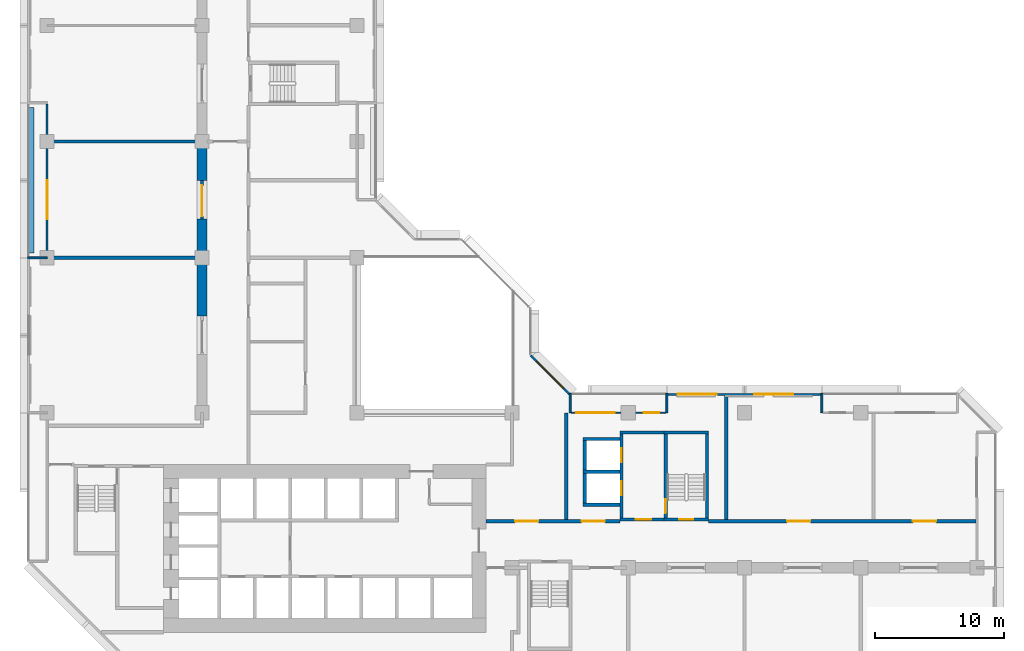
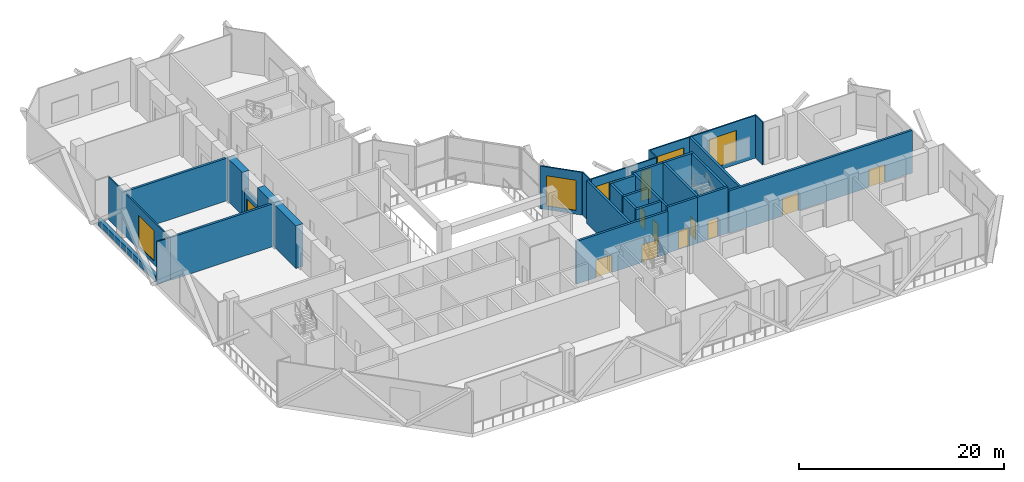
# One storey, part 8 of 14: 31 walls, 10 doors, 6 windows, 16 openings.
"""IFC4 building model written with IfcOpenShell, lengths in metres."""

import ifcopenshell
import ifcopenshell.guid

model = None  # the IFC model being written
_history = None  # IfcOwnerHistory: only IFC2X3 demands one
_inside = {}  # id of a spatial element -> (the spatial element, [elements in it])
_under = {}  # id of a project, library or spatial element -> (it, [spatial elements below it])
_declared = {}  # id of a project -> (the project, [libraries it declares])
_typed = {}  # id of a type object -> (the type object, [elements of that type])
_made_of = {}  # id of a material, layer set ... -> (it, [elements and type objects made of it])


def new_model(schema):
    """Start an empty IFC model of exactly this schema.

    Asked for "IFC4X3", IfcOpenShell would pick the latest addendum, in which some entities
    have other attributes; the version numbers below select the first issue.
    IFC2X3 requires an IfcOwnerHistory on every rooted entity: one is made here for all.
    """
    global model, _history
    if schema == "IFC4X3":
        model = ifcopenshell.file(schema_version=(4, 3, 0, 0))
    else:
        model = ifcopenshell.file(schema=schema)
    _inside.clear()
    _under.clear()
    _declared.clear()
    _typed.clear()
    _made_of.clear()
    _history = None
    if model.schema == "IFC2X3":
        org = make("IfcOrganization", Name="unknown")
        user = make(
            "IfcPersonAndOrganization",
            ThePerson=make("IfcPerson", FamilyName="unknown"),
            TheOrganization=org,
        )
        app = make(
            "IfcApplication",
            ApplicationDeveloper=org,
            Version="unknown",
            ApplicationFullName="unknown",
            ApplicationIdentifier="unknown",
        )
        _history = make(
            "IfcOwnerHistory",
            OwningUser=user,
            OwningApplication=app,
            ChangeAction="ADDED",
            CreationDate=0,
        )
    return model


def make(cls, **values):
    """One entity of the class cls with the attributes given. An attribute that is None is left unset."""
    return model.create_entity(
        cls, **{name: value for name, value in values.items() if value is not None}
    )


def rooted(cls, **values):
    """An entity with a GlobalId (a new one), such as an element, a storey or a relation."""
    return make(cls, GlobalId=ifcopenshell.guid.new(), OwnerHistory=_history, **values)


def si_unit(unit_type, name, prefix=None):
    """IfcSIUnit, for example si_unit("LENGTHUNIT", "METRE", prefix="MILLI")."""
    return make("IfcSIUnit", UnitType=unit_type, Prefix=prefix, Name=name)


def assignment(units):
    """IfcUnitAssignment: the units of a project."""
    return None if units is None else make("IfcUnitAssignment", Units=units)


def point(xyz):
    """IfcCartesianPoint."""
    return None if xyz is None else make("IfcCartesianPoint", Coordinates=xyz)


def direction(xyz):
    """IfcDirection."""
    return None if xyz is None else make("IfcDirection", DirectionRatios=xyz)


def frame(location, z_axis=None, x_axis=None):
    """IfcAxis2Placement3D, a coordinate frame: its origin and axes. An axis left out is left unset."""
    return make(
        "IfcAxis2Placement3D",
        Location=point(location),
        Axis=direction(z_axis),
        RefDirection=direction(x_axis),
    )


def frame_2d(location, x_axis=None):
    """IfcAxis2Placement2D, a coordinate frame in the plane: its origin and x axis."""
    return make(
        "IfcAxis2Placement2D", Location=point(location), RefDirection=direction(x_axis)
    )


def origin():
    """The frame at (0, 0, 0) with its axes left unset."""
    return frame((0.0, 0.0, 0.0))


def place(relative_to, where):
    """IfcLocalPlacement: puts the frame where relative to a parent placement (None: the world)."""
    return make(
        "IfcLocalPlacement", PlacementRelTo=relative_to, RelativePlacement=where
    )


def context(
    kind, dimensions, precision=None, world=None, true_north=None, identifier=None
):
    """IfcGeometricRepresentationContext, for example the 3D "Model" context."""
    return make(
        "IfcGeometricRepresentationContext",
        ContextIdentifier=identifier,
        ContextType=kind,
        CoordinateSpaceDimension=dimensions,
        Precision=precision,
        WorldCoordinateSystem=world,
        TrueNorth=true_north,
    )


def subcontext(parent, identifier, kind, view, scale=None):
    """IfcGeometricRepresentationSubContext, for example "Body" below "Model"."""
    return make(
        "IfcGeometricRepresentationSubContext",
        ContextIdentifier=identifier,
        ContextType=kind,
        ParentContext=parent,
        TargetScale=scale,
        TargetView=view,
    )


def project(units=None, contexts=None):
    """IfcProject with its units and contexts."""
    return rooted(
        "IfcProject",
        Name="project",
        RepresentationContexts=contexts,
        UnitsInContext=assignment(units),
    )


def spatial(cls, under=None, at=None, **own):
    """A site, building, storey or space (cls), placed at a placement, below another one or the project."""
    s = rooted(cls, ObjectPlacement=at, **own)
    if under is not None:
        _under.setdefault(under.id(), (under, []))[1].append(s)
    return s


def profile(cls, at=None, kind="AREA", **sizes):
    """A parametric profile (cls). Its sizes go by their IFC names, for example OverallWidth=200.0."""
    return make(cls, ProfileType=kind, Position=at, **sizes)


def rectangle(**sizes):
    """IfcRectangleProfileDef."""
    return profile("IfcRectangleProfileDef", **sizes)


def extrude(swept, where, along, depth):
    """IfcExtrudedAreaSolid: the profile swept, set in the frame where, extruded along a direction by depth."""
    return make(
        "IfcExtrudedAreaSolid",
        SweptArea=swept,
        Position=where,
        ExtrudedDirection=direction(along),
        Depth=depth,
    )


def shape(context_of_items, identifier, shape_type, items):
    """IfcShapeRepresentation: the items that make up one representation, for example the "Body"."""
    return make(
        "IfcShapeRepresentation",
        ContextOfItems=context_of_items,
        RepresentationIdentifier=identifier,
        RepresentationType=shape_type,
        Items=items,
    )


def material(Name=None, Category=None):
    """IfcMaterial."""
    return make("IfcMaterial", Name=Name, Category=Category)


def layer(
    of_material, thickness, ventilated=None, Name=None, Category=None, Priority=None
):
    """IfcMaterialLayer: one layer of a wall or slab, of a material (None: an air gap)."""
    return make(
        "IfcMaterialLayer",
        Material=of_material,
        LayerThickness=thickness,
        IsVentilated=ventilated,
        Name=Name,
        Category=Category,
        Priority=Priority,
    )


def layer_set(layers, Name=None):
    """IfcMaterialLayerSet."""
    return make("IfcMaterialLayerSet", MaterialLayers=layers, LayerSetName=Name)


def made_of(thing, what):
    """Note that an element or type object is made of a material, layer set ...; save() writes the relation."""
    if what is not None:
        _made_of.setdefault(what.id(), (what, []))[1].append(thing)
    return thing


def type_object(cls, material=None, **own):
    """A type object (cls), such as IfcWallType, which elements share."""
    return made_of(rooted(cls, **own), material)


def element(
    cls,
    number,
    at=None,
    inside=None,
    cuts=None,
    type_object=None,
    material=None,
    context=None,
    identifier="Body",
    shape_type=None,
    held_by="IfcProductDefinitionShape",
    body=None,
    shapes=None,
    **own,
):
    """One element of the class cls, such as IfcWall. Its Tag is "e" and its number.

    at: its placement. inside: the storey or other place that contains it. cuts: it is an
    opening in that element (IfcRelVoidsElement). A single representation is given by context,
    identifier, shape_type and body (its items); several are given by shapes. held_by: the class
    of the entity that holds the representations. save() writes the other relations.
    """
    e = rooted(cls, Tag="e%d" % number, ObjectPlacement=at, **own)
    if body is not None:
        shapes = [shape(context, identifier, shape_type, body)]
    if shapes is not None:
        e.Representation = make(held_by, Representations=shapes)
    if inside is not None:
        _inside.setdefault(inside.id(), (inside, []))[1].append(e)
    if cuts is not None:
        rooted(
            "IfcRelVoidsElement", RelatingBuildingElement=cuts, RelatedOpeningElement=e
        )
    if type_object is not None:
        _typed.setdefault(type_object.id(), (type_object, []))[1].append(e)
    return made_of(e, material)


def fill(opening, filler):
    """IfcRelFillsElement: the door or window that sits in an opening."""
    return rooted(
        "IfcRelFillsElement",
        RelatingOpeningElement=opening,
        RelatedBuildingElement=filler,
    )


def aggregate(whole, parts):
    """IfcRelAggregates: a whole, such as a stair, and the parts it consists of."""
    return rooted("IfcRelAggregates", RelatingObject=whole, RelatedObjects=parts)


def save(model, path):
    """Write the relations noted so far, then the file.

    IfcRelAggregates (storeys below a building ...), IfcRelContainedInSpatialStructure (elements
    in a storey), IfcRelDefinesByType, IfcRelAssociatesMaterial and IfcRelDeclares: one each for
    every whole, place, type object, material and project.
    """
    for whole, parts in _under.values():
        aggregate(whole, parts)
    for where, things in _inside.values():
        rooted(
            "IfcRelContainedInSpatialStructure",
            RelatedElements=things,
            RelatingStructure=where,
        )
    for kind, things in _typed.values():
        rooted("IfcRelDefinesByType", RelatedObjects=things, RelatingType=kind)
    for what, things in _made_of.values():
        rooted("IfcRelAssociatesMaterial", RelatedObjects=things, RelatingMaterial=what)
    for by, libraries in _declared.values():
        rooted("IfcRelDeclares", RelatingContext=by, RelatedDefinitions=libraries)
    model.write(path)


model = new_model("IFC4")

# Units and contexts
model_context = context("Model", 3, precision=1e-05, world=origin(), true_north=direction((0.0, 1.0)))
body_context = subcontext(model_context, "Body", "Model", "MODEL_VIEW")
ifc_project = project(units=[si_unit("LENGTHUNIT", "METRE"), si_unit("AREAUNIT", "SQUARE_METRE"), si_unit("VOLUMEUNIT", "CUBIC_METRE"), si_unit("PLANEANGLEUNIT", "RADIAN"), si_unit("MASSUNIT", "GRAM", prefix="KILO")], contexts=[model_context])

# Site, building, storey
site_placement = place(None, origin())
site = spatial("IfcSite", under=ifc_project, at=site_placement, CompositionType="ELEMENT")
building_placement = place(site_placement, origin())
building = spatial("IfcBuilding", under=site, at=building_placement, Name="Chenar Terraces", CompositionType="ELEMENT")
storey_placement = place(building_placement, frame((0.0, 0.0, 86.39990234375)))
storey = spatial("IfcBuildingStorey", under=building, at=storey_placement, Name="L19", CompositionType="ELEMENT", Elevation=86.39990234375)

# Walls
ifc_material_1 = material(Name="Concrete C70/85", Category="concrete")
ifc_layer_1 = layer(ifc_material_1, 0.800048828125)
ifc_layer_set_1 = layer_set([ifc_layer_1], Name="Concrete C70/85")
wall_type_1 = type_object("IfcWallType", Name="Belt wall 800 Concrete C70/85", PredefinedType="SHEAR", material=ifc_layer_set_1)
wall_1_placement = place(storey_placement, frame((12.0, 31.5, 0.0), z_axis=(0.0, 0.0, 1.0), x_axis=(0.0, 1.0, 0.0)))
element("IfcWall", 1, at=wall_1_placement, inside=storey, type_object=wall_type_1, Name="Belt wall L19 B1", PredefinedType="SHEAR", context=body_context, shape_type="SweptSolid", body=[
    extrude(rectangle(XDim=4.5, YDim=0.800048828125, at=frame_2d((2.25, 0.0))), origin(), (0.0, 0.0, 1.0), 5.10009765625),
])
for number, where, z_axis, x_axis, name in (
    (2, (12.0, 36.0, 0.0), (0.0, 0.0, 1.0), (0.0, 1.0, 0.0), "Belt wall L19 B2"),
    (3, (12.0, 42.0, 0.0), (0.0, 0.0, 1.0), (0.0, 1.0, 0.0), "Belt wall L19 B2"),
):
    element("IfcWall", number, at=place(storey_placement, frame(where, z_axis=z_axis, x_axis=x_axis)), inside=storey, type_object=wall_type_1, Name=name, PredefinedType="SHEAR", context=body_context, shape_type="SweptSolid", body=[
        extrude(rectangle(XDim=3.0, YDim=0.800048828125, at=frame_2d((1.5, 0.0))), origin(), (0.0, 0.0, 1.0), 5.10009765625),
    ])

# Wall, opening, door
ifc_material_2 = material(Name="Concrete C70/85", Category="concrete")
ifc_layer_2 = layer(ifc_material_2, 0.25)
ifc_layer_set_2 = layer_set([ifc_layer_2], Name="Concrete C70/85")
wall_type_2 = type_object("IfcWallType", Name="Core wall 250 Concrete C70/85", PredefinedType="SHEAR", material=ifc_layer_set_2)
wall_2_placement = place(storey_placement, frame((47.77490234375, 15.72509765625, 0.0), z_axis=(0.0, 0.0, 1.0), x_axis=(1.0, 0.0, 0.0)))
wall_2 = element("IfcWall", 4, at=wall_2_placement, inside=storey, type_object=wall_type_2, Name="Core wall ST3_S L19", PredefinedType="SHEAR", context=body_context, shape_type="SweptSolid", body=[
    extrude(rectangle(XDim=3.4501953125, YDim=0.25, at=frame_2d((1.72509765625, 0.0))), origin(), (0.0, 0.0, 1.0), 5.5),
])
opening_1_placement = place(wall_2_placement, frame((1.175048828125, 0.0, 0.0)))
opening_1 = element("IfcOpeningElement", 5, at=opening_1_placement, cuts=wall_2, Name="Opening DL19-C8", PredefinedType="OPENING", context=body_context, shape_type="SweptSolid", body=[
    extrude(rectangle(XDim=1.10009765625, YDim=2.199951171875, at=frame_2d((0.550048828125, 1.10009765625))), frame((0.0, 0.135009765625, 0.0), z_axis=(0.0, -1.0, 0.0), x_axis=(1.0, 0.0, 0.0)), (0.0, 0.0, 1.0), 0.27001953125),
])
ifc_material_3 = material(Name="Steel-framed fire-resisting door leaf", Category="steel")
door_type_1 = type_object("IfcDoorType", Name="Stair fire door FD60 1100 x 2200", OperationType="SINGLE_SWING_LEFT", PredefinedType="DOOR", material=ifc_material_3)
door_1_placement = place(opening_1_placement, frame((1.10009765625, 0.0, 0.0), z_axis=(0.0, 0.0, 1.0), x_axis=(-1.0, 0.0, 0.0)))
door_1 = element("IfcDoor", 6, at=door_1_placement, inside=storey, type_object=door_type_1, Name="Stair door DL19-C8", OperationType="SINGLE_SWING_LEFT", OverallHeight=2.199951171875, OverallWidth=1.10009765625, PredefinedType="DOOR", context=body_context, shape_type="SweptSolid", body=[
    extrude(rectangle(XDim=1.10009765625, YDim=2.199951171875, at=frame_2d((0.550048828125, 1.10009765625))), frame((0.0, 0.02490234375, 0.0), z_axis=(0.0, -1.0, 0.0), x_axis=(1.0, 0.0, 0.0)), (0.0, 0.0, 1.0), 0.050048828125),
])
fill(opening_1, door_1)

# Wall
wall_3_placement = place(storey_placement, frame((47.77490234375, 22.47509765625, 0.0), z_axis=(0.0, 0.0, 1.0), x_axis=(1.0, 0.0, 0.0)))
element("IfcWall", 7, at=wall_3_placement, inside=storey, type_object=wall_type_2, Name="Core wall ST3_N L19", PredefinedType="SHEAR", context=body_context, shape_type="SweptSolid", body=[
    extrude(rectangle(XDim=3.4501953125, YDim=0.25, at=frame_2d((1.72509765625, 0.0))), origin(), (0.0, 0.0, 1.0), 5.5),
])

# Wall, opening, door
wall_4_placement = place(storey_placement, frame((47.89990234375, 15.85009765625, 0.0), z_axis=(0.0, 0.0, 1.0), x_axis=(0.0, 1.0, 0.0)))
wall_4 = element("IfcWall", 8, at=wall_4_placement, inside=storey, type_object=wall_type_2, Name="Core wall ST3_W L19", PredefinedType="SHEAR", context=body_context, shape_type="SweptSolid", body=[
    extrude(rectangle(XDim=6.5, YDim=0.25, at=frame_2d((3.25, 0.0))), origin(), (0.0, 0.0, 1.0), 5.5),
])
opening_2_placement = place(wall_4_placement, frame((0.35009765625, 0.0, 0.0)))
opening_2 = element("IfcOpeningElement", 9, at=opening_2_placement, cuts=wall_4, Name="Opening DL19-C11", PredefinedType="OPENING", context=body_context, shape_type="SweptSolid", body=[
    extrude(rectangle(XDim=1.10009765625, YDim=2.199951171875, at=frame_2d((0.550048828125, 1.10009765625))), frame((0.0, 0.135009765625, 0.0), z_axis=(0.0, -1.0, 0.0), x_axis=(1.0, 0.0, 0.0)), (0.0, 0.0, 1.0), 0.27001953125),
])
door_2_placement = place(opening_2_placement, frame((1.10009765625, 0.0, 0.0), z_axis=(0.0, 0.0, 1.0), x_axis=(-1.0, 0.0, 0.0)))
door_2 = element("IfcDoor", 10, at=door_2_placement, inside=storey, type_object=door_type_1, Name="Stair door DL19-C11", OperationType="SINGLE_SWING_RIGHT", OverallHeight=2.199951171875, OverallWidth=1.10009765625, PredefinedType="DOOR", context=body_context, shape_type="SweptSolid", body=[
    extrude(rectangle(XDim=1.10009765625, YDim=2.199951171875, at=frame_2d((0.550048828125, 1.10009765625))), frame((0.0, 0.02490234375, 0.0), z_axis=(0.0, -1.0, 0.0), x_axis=(1.0, 0.0, 0.0)), (0.0, 0.0, 1.0), 0.050048828125),
])
fill(opening_2, door_2)

# Wall
wall_5_placement = place(storey_placement, frame((51.10009765625, 15.85009765625, 0.0), z_axis=(0.0, 0.0, 1.0), x_axis=(0.0, 1.0, 0.0)))
element("IfcWall", 11, at=wall_5_placement, inside=storey, type_object=wall_type_2, Name="Core wall ST3_E L19", PredefinedType="SHEAR", context=body_context, shape_type="SweptSolid", body=[
    extrude(rectangle(XDim=6.5, YDim=0.25, at=frame_2d((3.25, 0.0))), origin(), (0.0, 0.0, 1.0), 5.5),
])

# Wall, opening, door
wall_6_placement = place(storey_placement, frame((44.35009765625, 15.72509765625, 0.0), z_axis=(0.0, 0.0, 1.0), x_axis=(1.0, 0.0, 0.0)))
wall_6 = element("IfcWall", 12, at=wall_6_placement, inside=storey, type_object=wall_type_2, Name="Core wall F3_LS L19", PredefinedType="SHEAR", context=body_context, shape_type="SweptSolid", body=[
    extrude(rectangle(XDim=3.4248046875, YDim=0.25, at=frame_2d((1.71240234375, 0.0))), origin(), (0.0, 0.0, 1.0), 5.5),
])
opening_3_placement = place(wall_6_placement, frame((1.25, 0.0, 0.0)))
opening_3 = element("IfcOpeningElement", 13, at=opening_3_placement, cuts=wall_6, Name="Opening DL19-C10", PredefinedType="OPENING", context=body_context, shape_type="SweptSolid", body=[
    extrude(rectangle(XDim=1.199951171875, YDim=2.199951171875, at=frame_2d((0.60009765625, 1.10009765625))), frame((0.0, 0.135009765625, 0.0), z_axis=(0.0, -1.0, 0.0), x_axis=(1.0, 0.0, 0.0)), (0.0, 0.0, 1.0), 0.27001953125),
])
ifc_material_4 = material(Name="Steel-framed fire-resisting door leaf", Category="steel")
door_type_2 = type_object("IfcDoorType", Name="Lobby fire door FD60 1200 x 2200", OperationType="SINGLE_SWING_LEFT", PredefinedType="DOOR", material=ifc_material_4)
door_3_placement = place(opening_3_placement, origin())
door_3 = element("IfcDoor", 14, at=door_3_placement, inside=storey, type_object=door_type_2, Name="Core door DL19-C10", OperationType="SINGLE_SWING_RIGHT", OverallHeight=2.199951171875, OverallWidth=1.199951171875, PredefinedType="DOOR", context=body_context, shape_type="SweptSolid", body=[
    extrude(rectangle(XDim=1.199951171875, YDim=2.199951171875, at=frame_2d((0.60009765625, 1.10009765625))), frame((0.0, 0.02490234375, 0.0), z_axis=(0.0, -1.0, 0.0), x_axis=(1.0, 0.0, 0.0)), (0.0, 0.0, 1.0), 0.050048828125),
])
fill(opening_3, door_3)

# Wall
wall_7_placement = place(storey_placement, frame((44.35009765625, 22.47509765625, 0.0), z_axis=(0.0, 0.0, 1.0), x_axis=(1.0, 0.0, 0.0)))
element("IfcWall", 15, at=wall_7_placement, inside=storey, type_object=wall_type_2, Name="Core wall F3_LN L19", PredefinedType="SHEAR", context=body_context, shape_type="SweptSolid", body=[
    extrude(rectangle(XDim=3.4248046875, YDim=0.25, at=frame_2d((1.71240234375, 0.0))), origin(), (0.0, 0.0, 1.0), 5.5),
])

# Wall, openings, doors
wall_8_placement = place(storey_placement, frame((44.47509765625, 15.85009765625, 0.0), z_axis=(0.0, 0.0, 1.0), x_axis=(0.0, 1.0, 0.0)))
wall_8 = element("IfcWall", 16, at=wall_8_placement, inside=storey, type_object=wall_type_2, Name="Core wall F3_LW L19", PredefinedType="SHEAR", context=body_context, shape_type="SweptSolid", body=[
    extrude(rectangle(XDim=6.5, YDim=0.25, at=frame_2d((3.25, 0.0))), origin(), (0.0, 0.0, 1.0), 5.5),
])
opening_4_placement = place(wall_8_placement, frame((1.75, 0.0, 0.0)))
opening_4 = element("IfcOpeningElement", 17, at=opening_4_placement, cuts=wall_8, Name="Opening DL19-LD8", PredefinedType="OPENING", context=body_context, shape_type="SweptSolid", body=[
    extrude(rectangle(XDim=1.10009765625, YDim=2.199951171875, at=frame_2d((0.550048828125, 1.10009765625))), frame((0.0, 0.135009765625, 0.0), z_axis=(0.0, -1.0, 0.0), x_axis=(1.0, 0.0, 0.0)), (0.0, 0.0, 1.0), 0.27001953125),
])
opening_5_placement = place(wall_8_placement, frame((4.300048828125, 0.0, 0.0)))
opening_5 = element("IfcOpeningElement", 18, at=opening_5_placement, cuts=wall_8, Name="Opening DL19-LD9", PredefinedType="OPENING", context=body_context, shape_type="SweptSolid", body=[
    extrude(rectangle(XDim=1.10009765625, YDim=2.199951171875, at=frame_2d((0.550048828125, 1.10009765625))), frame((0.0, 0.135009765625, 0.0), z_axis=(0.0, -1.0, 0.0), x_axis=(1.0, 0.0, 0.0)), (0.0, 0.0, 1.0), 0.27001953125),
])
ifc_material_5 = material(Name="Stainless steel", Category="steel")
door_type_3 = type_object("IfcDoorType", Name="Lift landing door 1100 x 2200 sliding", OperationType="DOUBLE_DOOR_SLIDING", PredefinedType="DOOR", material=ifc_material_5)
door_4_placement = place(opening_4_placement, origin())
door_4 = element("IfcDoor", 19, at=door_4_placement, inside=storey, type_object=door_type_3, Name="Landing door F3", OperationType="DOUBLE_DOOR_SLIDING", OverallHeight=2.199951171875, OverallWidth=1.10009765625, PredefinedType="DOOR", context=body_context, shape_type="SweptSolid", body=[
    extrude(rectangle(XDim=1.10009765625, YDim=2.199951171875, at=frame_2d((0.550048828125, 1.10009765625))), frame((0.0, 0.02490234375, 0.0), z_axis=(0.0, -1.0, 0.0), x_axis=(1.0, 0.0, 0.0)), (0.0, 0.0, 1.0), 0.050048828125),
])
fill(opening_4, door_4)
door_5_placement = place(opening_5_placement, origin())
door_5 = element("IfcDoor", 20, at=door_5_placement, inside=storey, type_object=door_type_3, Name="Landing door F4", OperationType="DOUBLE_DOOR_SLIDING", OverallHeight=2.199951171875, OverallWidth=1.10009765625, PredefinedType="DOOR", context=body_context, shape_type="SweptSolid", body=[
    extrude(rectangle(XDim=1.10009765625, YDim=2.199951171875, at=frame_2d((0.550048828125, 1.10009765625))), frame((0.0, 0.02490234375, 0.0), z_axis=(0.0, -1.0, 0.0), x_axis=(1.0, 0.0, 0.0)), (0.0, 0.0, 1.0), 0.050048828125),
])
fill(opening_5, door_5)

# Walls
for number, where, z_axis, x_axis, name in (
    (21, (41.5, 16.875, 0.0), (0.0, 0.0, 1.0), (1.0, 0.0, 0.0), "Core wall F3_SS L19"),
    (22, (41.5, 19.425048828125, 0.0), (0.0, 0.0, 1.0), (1.0, 0.0, 0.0), "Core wall F3_SM L19"),
    (23, (41.5, 21.97509765625, 0.0), (0.0, 0.0, 1.0), (1.0, 0.0, 0.0), "Core wall F4_SN L19"),
):
    element("IfcWall", number, at=place(storey_placement, frame(where, z_axis=z_axis, x_axis=x_axis)), inside=storey, type_object=wall_type_2, Name=name, PredefinedType="SHEAR", context=body_context, shape_type="SweptSolid", body=[
        extrude(rectangle(XDim=2.85009765625, YDim=0.25, at=frame_2d((1.425048828125, 0.0))), origin(), (0.0, 0.0, 1.0), 5.5),
    ])
for number, where, z_axis, x_axis, name in (
    (24, (41.625, 17.0, 0.0), (0.0, 0.0, 1.0), (0.0, 1.0, 0.0), "Core wall F3_SW L19"),
    (25, (41.625, 19.550048828125, 0.0), (0.0, 0.0, 1.0), (0.0, 1.0, 0.0), "Core wall F4_SW L19"),
):
    element("IfcWall", number, at=place(storey_placement, frame(where, z_axis=z_axis, x_axis=x_axis)), inside=storey, type_object=wall_type_2, Name=name, PredefinedType="SHEAR", context=body_context, shape_type="SweptSolid", body=[
        extrude(rectangle(XDim=2.300048828125, YDim=0.25, at=frame_2d((1.14990234375, 0.0))), origin(), (0.0, 0.0, 1.0), 5.5),
    ])

# Wall, openings, windows
ifc_material_6 = material(Name="Aluminium framed glazing", Category="aluminium")
ifc_layer_3 = layer(ifc_material_6, 0.14990234375)
ifc_layer_set_3 = layer_set([ifc_layer_3], Name="Aluminium framed glazing")
wall_type_3 = type_object("IfcWallType", Name="Glazed flush facade wall 150", PredefinedType="SOLIDWALL", material=ifc_layer_set_3)
wall_9_placement = place(storey_placement, frame((59.925048828125, 25.425048828125, 0.0), z_axis=(0.0, 0.0, 1.0), x_axis=(-1.0, 0.0, 0.0)))
wall_9 = element("IfcWall", 26, at=wall_9_placement, inside=storey, type_object=wall_type_3, Name="Glazed flush facade wall", PredefinedType="SOLIDWALL", context=body_context, shape_type="SweptSolid", body=[
    extrude(rectangle(XDim=11.85009765625, YDim=0.14990234375, at=frame_2d((5.925048828125, 0.0))), origin(), (0.0, 0.0, 1.0), 5.10009765625),
])
opening_6_placement = place(wall_9_placement, frame((2.16259765625, 0.0, 0.449951171875)))
opening_6 = element("IfcOpeningElement", 27, at=opening_6_placement, cuts=wall_9, Name="Opening W300x360", PredefinedType="OPENING", context=body_context, shape_type="SweptSolid", body=[
    extrude(rectangle(XDim=3.0, YDim=3.60009765625, at=frame_2d((1.5, 1.800048828125))), frame((0.0, 0.0849609375, 0.0), z_axis=(0.0, -1.0, 0.0), x_axis=(1.0, 0.0, 0.0)), (0.0, 0.0, 1.0), 0.169921875),
])
opening_7_placement = place(wall_9_placement, frame((8.08740234375, 0.0, 0.449951171875)))
opening_7 = element("IfcOpeningElement", 28, at=opening_7_placement, cuts=wall_9, Name="Opening W300x360", PredefinedType="OPENING", context=body_context, shape_type="SweptSolid", body=[
    extrude(rectangle(XDim=3.0, YDim=3.60009765625, at=frame_2d((1.5, 1.800048828125))), frame((0.0, 0.0849609375, 0.0), z_axis=(0.0, -1.0, 0.0), x_axis=(1.0, 0.0, 0.0)), (0.0, 0.0, 1.0), 0.169921875),
])
ifc_material_7 = material(Name="Low emissivity double glazing, aluminium frame", Category="aluminium")
window_type_1 = type_object("IfcWindowType", Name="Fixed light 3000 x 3600", PartitioningType="SINGLE_PANEL", PredefinedType="WINDOW", material=ifc_material_7)
window_1_placement = place(opening_6_placement, origin())
window_1 = element("IfcWindow", 29, at=window_1_placement, inside=storey, type_object=window_type_1, Name="Window", OverallHeight=3.60009765625, OverallWidth=3.0, PartitioningType="SINGLE_PANEL", PredefinedType="WINDOW", context=body_context, shape_type="SweptSolid", body=[
    extrude(rectangle(XDim=3.0, YDim=3.60009765625, at=frame_2d((1.5, 1.800048828125))), frame((0.0, 0.030029296875, 0.0), z_axis=(0.0, -1.0, 0.0), x_axis=(1.0, 0.0, 0.0)), (0.0, 0.0, 1.0), 0.06005859375),
])
fill(opening_6, window_1)
window_2_placement = place(opening_7_placement, origin())
window_2 = element("IfcWindow", 30, at=window_2_placement, inside=storey, type_object=window_type_1, Name="Window", OverallHeight=3.60009765625, OverallWidth=3.0, PartitioningType="SINGLE_PANEL", PredefinedType="WINDOW", context=body_context, shape_type="SweptSolid", body=[
    extrude(rectangle(XDim=3.0, YDim=3.60009765625, at=frame_2d((1.5, 1.800048828125))), frame((0.0, 0.030029296875, 0.0), z_axis=(0.0, -1.0, 0.0), x_axis=(1.0, 0.0, 0.0)), (0.0, 0.0, 1.0), 0.06005859375),
])
fill(opening_7, window_2)

ifc_material_8 = material(Name="Aluminium framed glazing", Category="aluminium")
ifc_layer_4 = layer(ifc_material_8, 0.14990234375)
ifc_layer_set_4 = layer_set([ifc_layer_4], Name="Aluminium framed glazing")
wall_type_4 = type_object("IfcWallType", Name="Glazed loggia back wall 150", PredefinedType="SOLIDWALL", material=ifc_layer_set_4)
wall_10_placement = place(storey_placement, frame((47.925048828125, 24.0, 0.0), z_axis=(0.0, 0.0, 1.0), x_axis=(-1.0, 0.0, 0.0)))
wall_10 = element("IfcWall", 31, at=wall_10_placement, inside=storey, type_object=wall_type_4, Name="Glazed loggia back wall", PredefinedType="SOLIDWALL", context=body_context, shape_type="SweptSolid", body=[
    extrude(rectangle(XDim=7.35009765625, YDim=0.14990234375, at=frame_2d((3.675048828125, 0.0))), origin(), (0.0, 0.0, 1.0), 5.10009765625),
])
opening_8_placement = place(wall_10_placement, frame((0.53759765625, 0.0, 0.449951171875)))
opening_8 = element("IfcOpeningElement", 32, at=opening_8_placement, cuts=wall_10, Name="Opening W120x360", PredefinedType="OPENING", context=body_context, shape_type="SweptSolid", body=[
    extrude(rectangle(XDim=1.199951171875, YDim=3.60009765625, at=frame_2d((0.60009765625, 1.800048828125))), frame((0.0, 0.0849609375, 0.0), z_axis=(0.0, -1.0, 0.0), x_axis=(1.0, 0.0, 0.0)), (0.0, 0.0, 1.0), 0.169921875),
])
opening_9_placement = place(wall_10_placement, frame((3.96240234375, 0.0, 0.449951171875)))
opening_9 = element("IfcOpeningElement", 33, at=opening_9_placement, cuts=wall_10, Name="Opening W300x360", PredefinedType="OPENING", context=body_context, shape_type="SweptSolid", body=[
    extrude(rectangle(XDim=3.0, YDim=3.60009765625, at=frame_2d((1.5, 1.800048828125))), frame((0.0, 0.0849609375, 0.0), z_axis=(0.0, -1.0, 0.0), x_axis=(1.0, 0.0, 0.0)), (0.0, 0.0, 1.0), 0.169921875),
])
ifc_material_9 = material(Name="Low emissivity double glazing, aluminium frame", Category="aluminium")
window_type_2 = type_object("IfcWindowType", Name="Fixed light 1200 x 3600", PartitioningType="SINGLE_PANEL", PredefinedType="WINDOW", material=ifc_material_9)
window_3_placement = place(opening_8_placement, origin())
window_3 = element("IfcWindow", 34, at=window_3_placement, inside=storey, type_object=window_type_2, Name="Window", OverallHeight=3.60009765625, OverallWidth=1.199951171875, PartitioningType="SINGLE_PANEL", PredefinedType="WINDOW", context=body_context, shape_type="SweptSolid", body=[
    extrude(rectangle(XDim=1.199951171875, YDim=3.60009765625, at=frame_2d((0.60009765625, 1.800048828125))), frame((0.0, 0.030029296875, 0.0), z_axis=(0.0, -1.0, 0.0), x_axis=(1.0, 0.0, 0.0)), (0.0, 0.0, 1.0), 0.06005859375),
])
fill(opening_8, window_3)
window_4_placement = place(opening_9_placement, origin())
window_4 = element("IfcWindow", 35, at=window_4_placement, inside=storey, type_object=window_type_1, Name="Window", OverallHeight=3.60009765625, OverallWidth=3.0, PartitioningType="SINGLE_PANEL", PredefinedType="WINDOW", context=body_context, shape_type="SweptSolid", body=[
    extrude(rectangle(XDim=3.0, YDim=3.60009765625, at=frame_2d((1.5, 1.800048828125))), frame((0.0, 0.030029296875, 0.0), z_axis=(0.0, -1.0, 0.0), x_axis=(1.0, 0.0, 0.0)), (0.0, 0.0, 1.0), 0.06005859375),
])
fill(opening_9, window_4)

# Wall, opening, window
wall_11_placement = place(storey_placement, frame((0.0, 47.925048828125, 0.0), z_axis=(0.0, 0.0, 1.0), x_axis=(0.0, -1.0, 0.0)))
wall_11 = element("IfcWall", 36, at=wall_11_placement, inside=storey, type_object=wall_type_4, Name="Glazed loggia back wall", PredefinedType="SOLIDWALL", context=body_context, shape_type="SweptSolid", body=[
    extrude(rectangle(XDim=11.85009765625, YDim=0.14990234375, at=frame_2d((5.925048828125, 0.0))), origin(), (0.0, 0.0, 1.0), 5.10009765625),
])
opening_10_placement = place(wall_11_placement, frame((5.925048828125, 0.0, 0.449951171875)))
opening_10 = element("IfcOpeningElement", 37, at=opening_10_placement, cuts=wall_11, Name="Opening W300x360", PredefinedType="OPENING", context=body_context, shape_type="SweptSolid", body=[
    extrude(rectangle(XDim=3.0, YDim=3.60009765625, at=frame_2d((1.5, 1.800048828125))), frame((0.0, 0.0849609375, 0.0), z_axis=(0.0, -1.0, 0.0), x_axis=(1.0, 0.0, 0.0)), (0.0, 0.0, 1.0), 0.169921875),
])
window_5_placement = place(opening_10_placement, origin())
window_5 = element("IfcWindow", 38, at=window_5_placement, inside=storey, type_object=window_type_1, Name="Window", OverallHeight=3.60009765625, OverallWidth=3.0, PartitioningType="SINGLE_PANEL", PredefinedType="WINDOW", context=body_context, shape_type="SweptSolid", body=[
    extrude(rectangle(XDim=3.0, YDim=3.60009765625, at=frame_2d((1.5, 1.800048828125))), frame((0.0, 0.030029296875, 0.0), z_axis=(0.0, -1.0, 0.0), x_axis=(1.0, 0.0, 0.0)), (0.0, 0.0, 1.0), 0.06005859375),
])
fill(opening_10, window_5)

# Walls
ifc_material_10 = material(Name="Terracotta cladding on insulated backing", Category="masonry")
ifc_layer_5 = layer(ifc_material_10, 0.14990234375)
ifc_layer_set_5 = layer_set([ifc_layer_5], Name="Terracotta cladding on insulated backing")
wall_type_5 = type_object("IfcWallType", Name="Loggia return wall 150", PredefinedType="SOLIDWALL", material=ifc_layer_set_5)
for number, where, z_axis, x_axis, name in (
    (39, (60.0, 25.5, 0.0), (0.0, 0.0, 1.0), (0.0, -1.0, 0.0), "Loggia return wall"),
    (40, (48.0, 25.5, 0.0), (0.0, 0.0, 1.0), (0.0, -1.0, 0.0), "Loggia return wall"),
    (41, (40.5, 25.5, 0.0), (0.0, 0.0, 1.0), (0.0, -1.0, 0.0), "Loggia return wall"),
    (42, (-1.5, 36.0, 0.0), (0.0, 0.0, 1.0), (1.0, 0.0, 0.0), "Loggia return wall"),
):
    element("IfcWall", number, at=place(storey_placement, frame(where, z_axis=z_axis, x_axis=x_axis)), inside=storey, type_object=wall_type_5, Name=name, PredefinedType="SOLIDWALL", context=body_context, shape_type="SweptSolid", body=[
        extrude(rectangle(XDim=1.5, YDim=0.14990234375, at=frame_2d((0.75, 0.0))), origin(), (0.0, 0.0, 1.0), 5.10009765625),
    ])
ifc_material_11 = material(Name="Fire-board and steel stud wall with mineral wool", Category="steel")
ifc_layer_6 = layer(ifc_material_11, 0.25)
ifc_layer_set_6 = layer_set([ifc_layer_6], Name="Fire-board and steel stud wall with mineral wool")
wall_type_6 = type_object("IfcWallType", Name="Refuge compartment wall 250", PredefinedType="PARTITIONING", material=ifc_layer_set_6)
wall_12_placement = place(storey_placement, frame((0.0, 36.0, 0.0), z_axis=(0.0, 0.0, 1.0), x_axis=(1.0, 0.0, 0.0)))
element("IfcWall", 43, at=wall_12_placement, inside=storey, type_object=wall_type_6, Name="Partition L19-001", PredefinedType="PARTITIONING", context=body_context, shape_type="SweptSolid", body=[
    extrude(rectangle(XDim=11.60107421875, YDim=0.25, at=frame_2d((5.800537109375, 0.0))), origin(), (0.0, 0.0, 1.0), 5.10009765625),
])
wall_13_placement = place(storey_placement, frame((0.073974609375, 45.0, 0.0), z_axis=(0.0, 0.0, 1.0), x_axis=(1.0, 0.0, 0.0)))
element("IfcWall", 44, at=wall_13_placement, inside=storey, type_object=wall_type_6, Name="Partition L19-005", PredefinedType="PARTITIONING", context=body_context, shape_type="SweptSolid", body=[
    extrude(rectangle(XDim=11.527099609375, YDim=0.25, at=frame_2d((5.763671875, 0.0))), origin(), (0.0, 0.0, 1.0), 5.10009765625),
])

# Wall, opening, door
wall_14_placement = place(storey_placement, frame((12.0, 38.9990234375, 0.0), z_axis=(0.0, 0.0, 1.0), x_axis=(0.0, 1.0, 0.0)))
wall_14 = element("IfcWall", 45, at=wall_14_placement, inside=storey, type_object=wall_type_6, Name="Partition L19-009", PredefinedType="PARTITIONING", context=body_context, shape_type="SweptSolid", body=[
    extrude(rectangle(XDim=3.001953125, YDim=0.25, at=frame_2d((1.5009765625, 0.0))), origin(), (0.0, 0.0, 1.0), 3.050048828125),
])
opening_11_placement = place(wall_14_placement, frame((0.200927734375, 0.0, 0.0)))
opening_11 = element("IfcOpeningElement", 46, at=opening_11_placement, cuts=wall_14, Name="Opening DL19-14", PredefinedType="OPENING", context=body_context, shape_type="SweptSolid", body=[
    extrude(rectangle(XDim=2.39990234375, YDim=2.10009765625, at=frame_2d((1.199951171875, 1.050048828125))), frame((0.0, 0.135009765625, 0.0), z_axis=(0.0, -1.0, 0.0), x_axis=(1.0, 0.0, 0.0)), (0.0, 0.0, 1.0), 0.27001953125),
])
ifc_material_12 = material(Name="Steel-framed fire-resisting door leaf", Category="steel")
door_type_4 = type_object("IfcDoorType", Name="Fire double door FD120 2400 x 2100", OperationType="DOUBLE_DOOR_SINGLE_SWING", PredefinedType="DOOR", material=ifc_material_12)
door_6_placement = place(opening_11_placement, origin())
door_6 = element("IfcDoor", 47, at=door_6_placement, inside=storey, type_object=door_type_4, Name="Door DL19-14", OperationType="DOUBLE_DOOR_SINGLE_SWING", OverallHeight=2.10009765625, OverallWidth=2.39990234375, PredefinedType="DOOR", context=body_context, shape_type="SweptSolid", body=[
    extrude(rectangle(XDim=2.39990234375, YDim=2.10009765625, at=frame_2d((1.199951171875, 1.050048828125))), frame((0.0, 0.02490234375, 0.0), z_axis=(0.0, -1.0, 0.0), x_axis=(1.0, 0.0, 0.0)), (0.0, 0.0, 1.0), 0.050048828125),
])
fill(opening_11, door_6)

# Wall, openings, doors
wall_15_placement = place(storey_placement, frame((34.0, 15.60009765625, 0.0), z_axis=(0.0, 0.0, 1.0), x_axis=(1.0, 0.0, 0.0)))
wall_15 = element("IfcWall", 48, at=wall_15_placement, inside=storey, type_object=wall_type_6, Name="Partition L19-025", PredefinedType="PARTITIONING", context=body_context, shape_type="SweptSolid", body=[
    extrude(rectangle(XDim=10.35009765625, YDim=0.25, at=frame_2d((5.175048828125, 0.0))), origin(), (0.0, 0.0, 1.0), 5.10009765625),
])
opening_12_placement = place(wall_15_placement, frame((2.25, 0.0, 0.0)))
opening_12 = element("IfcOpeningElement", 49, at=opening_12_placement, cuts=wall_15, Name="Opening DL19-1", PredefinedType="OPENING", context=body_context, shape_type="SweptSolid", body=[
    extrude(rectangle(XDim=1.800048828125, YDim=2.10009765625, at=frame_2d((0.89990234375, 1.050048828125))), frame((0.0, 0.135009765625, 0.0), z_axis=(0.0, -1.0, 0.0), x_axis=(1.0, 0.0, 0.0)), (0.0, 0.0, 1.0), 0.27001953125),
])
opening_13_placement = place(wall_15_placement, frame((7.39990234375, 0.0, 0.0)))
opening_13 = element("IfcOpeningElement", 50, at=opening_13_placement, cuts=wall_15, Name="Opening DL19-2", PredefinedType="OPENING", context=body_context, shape_type="SweptSolid", body=[
    extrude(rectangle(XDim=1.800048828125, YDim=2.10009765625, at=frame_2d((0.89990234375, 1.050048828125))), frame((0.0, 0.135009765625, 0.0), z_axis=(0.0, -1.0, 0.0), x_axis=(1.0, 0.0, 0.0)), (0.0, 0.0, 1.0), 0.27001953125),
])
ifc_material_13 = material(Name="Steel-framed fire-resisting door leaf", Category="steel")
door_type_5 = type_object("IfcDoorType", Name="Fire double door FD120 1800 x 2100", OperationType="DOUBLE_DOOR_SINGLE_SWING", PredefinedType="DOOR", material=ifc_material_13)
door_7_placement = place(opening_12_placement, origin())
door_7 = element("IfcDoor", 51, at=door_7_placement, inside=storey, type_object=door_type_5, Name="Door DL19-1", OperationType="DOUBLE_DOOR_SINGLE_SWING", OverallHeight=2.10009765625, OverallWidth=1.800048828125, PredefinedType="DOOR", context=body_context, shape_type="SweptSolid", body=[
    extrude(rectangle(XDim=1.800048828125, YDim=2.10009765625, at=frame_2d((0.89990234375, 1.050048828125))), frame((0.0, 0.02490234375, 0.0), z_axis=(0.0, -1.0, 0.0), x_axis=(1.0, 0.0, 0.0)), (0.0, 0.0, 1.0), 0.050048828125),
])
fill(opening_12, door_7)
door_8_placement = place(opening_13_placement, origin())
door_8 = element("IfcDoor", 52, at=door_8_placement, inside=storey, type_object=door_type_5, Name="Door DL19-2", OperationType="DOUBLE_DOOR_SINGLE_SWING", OverallHeight=2.10009765625, OverallWidth=1.800048828125, PredefinedType="DOOR", context=body_context, shape_type="SweptSolid", body=[
    extrude(rectangle(XDim=1.800048828125, YDim=2.10009765625, at=frame_2d((0.89990234375, 1.050048828125))), frame((0.0, 0.02490234375, 0.0), z_axis=(0.0, -1.0, 0.0), x_axis=(1.0, 0.0, 0.0)), (0.0, 0.0, 1.0), 0.050048828125),
])
fill(opening_13, door_8)

# Wall
wall_16_placement = place(storey_placement, frame((40.199951171875, 15.72509765625, 0.0), z_axis=(0.0, 0.0, 1.0), x_axis=(0.0, 1.0, 0.0)))
element("IfcWall", 53, at=wall_16_placement, inside=storey, type_object=wall_type_6, Name="Partition L19-031", PredefinedType="PARTITIONING", context=body_context, shape_type="SweptSolid", body=[
    extrude(rectangle(XDim=8.27490234375, YDim=0.25, at=frame_2d((4.137451171875, 0.0))), origin(), (0.0, 0.0, 1.0), 5.10009765625),
])

# Wall, openings, doors
wall_17_placement = place(storey_placement, frame((51.22509765625, 15.60009765625, 0.0), z_axis=(0.0, 0.0, 1.0), x_axis=(1.0, 0.0, 0.0)))
wall_17 = element("IfcWall", 54, at=wall_17_placement, inside=storey, type_object=wall_type_6, Name="Partition L19-035", PredefinedType="PARTITIONING", context=body_context, shape_type="SweptSolid", body=[
    extrude(rectangle(XDim=20.700927734375, YDim=0.25, at=frame_2d((10.3505859375, 0.0))), origin(), (0.0, 0.0, 1.0), 5.10009765625),
])
opening_14_placement = place(wall_17_placement, frame((6.074951171875, 0.0, 0.0)))
opening_14 = element("IfcOpeningElement", 55, at=opening_14_placement, cuts=wall_17, Name="Opening DL19-3", PredefinedType="OPENING", context=body_context, shape_type="SweptSolid", body=[
    extrude(rectangle(XDim=1.800048828125, YDim=2.10009765625, at=frame_2d((0.89990234375, 1.050048828125))), frame((0.0, 0.135009765625, 0.0), z_axis=(0.0, -1.0, 0.0), x_axis=(1.0, 0.0, 0.0)), (0.0, 0.0, 1.0), 0.27001953125),
])
opening_15_placement = place(wall_17_placement, frame((15.824951171875, 0.0, 0.0)))
opening_15 = element("IfcOpeningElement", 56, at=opening_15_placement, cuts=wall_17, Name="Opening DL19-4", PredefinedType="OPENING", context=body_context, shape_type="SweptSolid", body=[
    extrude(rectangle(XDim=1.800048828125, YDim=2.10009765625, at=frame_2d((0.89990234375, 1.050048828125))), frame((0.0, 0.135009765625, 0.0), z_axis=(0.0, -1.0, 0.0), x_axis=(1.0, 0.0, 0.0)), (0.0, 0.0, 1.0), 0.27001953125),
])
door_9_placement = place(opening_14_placement, origin())
door_9 = element("IfcDoor", 57, at=door_9_placement, inside=storey, type_object=door_type_5, Name="Door DL19-3", OperationType="DOUBLE_DOOR_SINGLE_SWING", OverallHeight=2.10009765625, OverallWidth=1.800048828125, PredefinedType="DOOR", context=body_context, shape_type="SweptSolid", body=[
    extrude(rectangle(XDim=1.800048828125, YDim=2.10009765625, at=frame_2d((0.89990234375, 1.050048828125))), frame((0.0, 0.02490234375, 0.0), z_axis=(0.0, -1.0, 0.0), x_axis=(1.0, 0.0, 0.0)), (0.0, 0.0, 1.0), 0.050048828125),
])
fill(opening_14, door_9)
door_10_placement = place(opening_15_placement, origin())
door_10 = element("IfcDoor", 58, at=door_10_placement, inside=storey, type_object=door_type_5, Name="Door DL19-4", OperationType="DOUBLE_DOOR_SINGLE_SWING", OverallHeight=2.10009765625, OverallWidth=1.800048828125, PredefinedType="DOOR", context=body_context, shape_type="SweptSolid", body=[
    extrude(rectangle(XDim=1.800048828125, YDim=2.10009765625, at=frame_2d((0.89990234375, 1.050048828125))), frame((0.0, 0.02490234375, 0.0), z_axis=(0.0, -1.0, 0.0), x_axis=(1.0, 0.0, 0.0)), (0.0, 0.0, 1.0), 0.050048828125),
])
fill(opening_15, door_10)

# Wall
wall_18_placement = place(storey_placement, frame((52.60009765625, 15.72509765625, 0.0), z_axis=(0.0, 0.0, 1.0), x_axis=(0.0, 1.0, 0.0)))
element("IfcWall", 59, at=wall_18_placement, inside=storey, type_object=wall_type_6, Name="Partition L19-036", PredefinedType="PARTITIONING", context=body_context, shape_type="SweptSolid", body=[
    extrude(rectangle(XDim=9.625, YDim=0.25, at=frame_2d((4.8125, 0.0))), origin(), (0.0, 0.0, 1.0), 5.10009765625),
])

# Wall, opening, window
ifc_material_14 = material(Name="Terracotta cladding on insulated backing", Category="masonry")
ifc_layer_7 = layer(ifc_material_14, 0.14990234375)
ifc_layer_set_7 = layer_set([ifc_layer_7], Name="Terracotta cladding on insulated backing")
wall_type_7 = type_object("IfcWallType", Name="Terracotta rainscreen wall 150", PredefinedType="SOLIDWALL", material=ifc_layer_set_7)
wall_19_placement = place(storey_placement, frame((40.447021484375, 25.447021484375, 0.0), z_axis=(0.0, 0.0, 1.0), x_axis=(-0.707106781187, 0.707106781187, 0.0)))
wall_19 = element("IfcWall", 60, at=wall_19_placement, inside=storey, type_object=wall_type_7, Name="Terracotta rainscreen wall", PredefinedType="SOLIDWALL", context=body_context, shape_type="SweptSolid", body=[
    extrude(rectangle(XDim=4.24267578125, YDim=0.14990234375, at=frame_2d((2.121337890625, 0.0))), origin(), (0.0, 0.0, 1.0), 5.10009765625),
])
opening_16_placement = place(wall_19_placement, frame((0.621337890625, 0.0, 0.449951171875)))
opening_16 = element("IfcOpeningElement", 61, at=opening_16_placement, cuts=wall_19, Name="Opening W300x360", PredefinedType="OPENING", context=body_context, shape_type="SweptSolid", body=[
    extrude(rectangle(XDim=3.0, YDim=3.60009765625, at=frame_2d((1.5, 1.800048828125))), frame((0.0, 0.0849609375, 0.0), z_axis=(0.0, -1.0, 0.0), x_axis=(1.0, 0.0, 0.0)), (0.0, 0.0, 1.0), 0.169921875),
])
window_6_placement = place(opening_16_placement, origin())
window_6 = element("IfcWindow", 62, at=window_6_placement, inside=storey, type_object=window_type_1, Name="Window", OverallHeight=3.60009765625, OverallWidth=3.0, PartitioningType="SINGLE_PANEL", PredefinedType="WINDOW", context=body_context, shape_type="SweptSolid", body=[
    extrude(rectangle(XDim=3.0, YDim=3.60009765625, at=frame_2d((1.5, 1.800048828125))), frame((0.0, 0.030029296875, 0.0), z_axis=(0.0, -1.0, 0.0), x_axis=(1.0, 0.0, 0.0)), (0.0, 0.0, 1.0), 0.06005859375),
])
fill(opening_16, window_6)

# Wall
ifc_material_15 = material(Name="GRP planter trough")
ifc_layer_8 = layer(ifc_material_15, 0.39990234375)
ifc_layer_set_8 = layer_set([ifc_layer_8], Name="GRP planter trough")
wall_type_8 = type_object("IfcWallType", Name="Vertical greenery planter 400", PredefinedType="SOLIDWALL", material=ifc_layer_set_8)
wall_20_placement = place(storey_placement, frame((-1.22900390625, 47.625, 0.0), z_axis=(0.0, 0.0, 1.0), x_axis=(0.0, -1.0, 0.0)))
element("IfcWall", 63, at=wall_20_placement, inside=storey, type_object=wall_type_8, Name="Vertical greenery planter", PredefinedType="SOLIDWALL", context=body_context, shape_type="SweptSolid", body=[
    extrude(rectangle(XDim=11.25, YDim=0.39990234375, at=frame_2d((5.625, 0.0))), origin(), (0.0, 0.0, 1.0), 0.7001953125),
])

save(model, "model.ifc")
